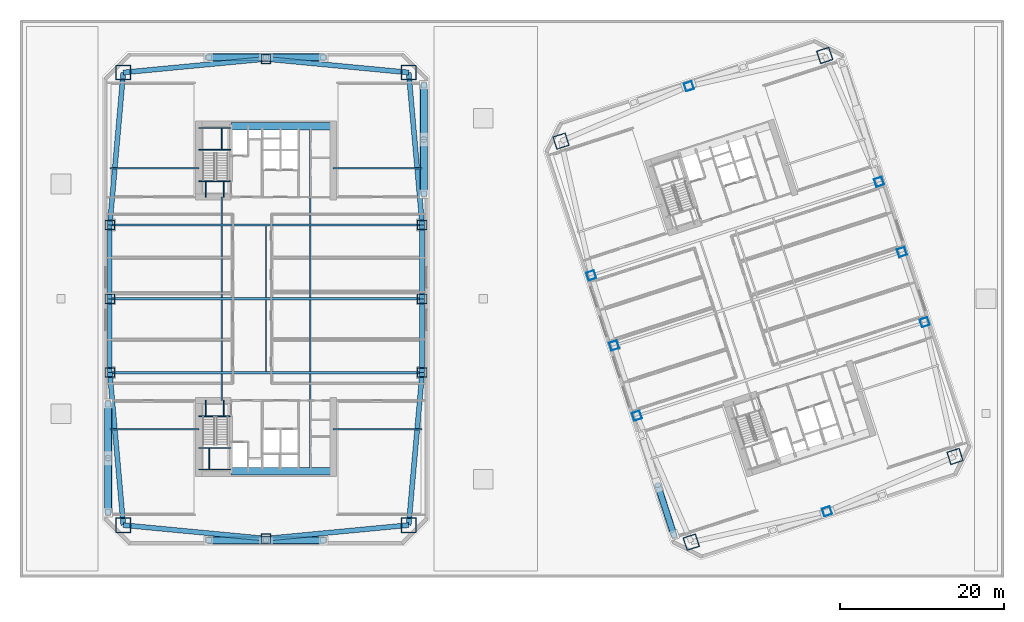
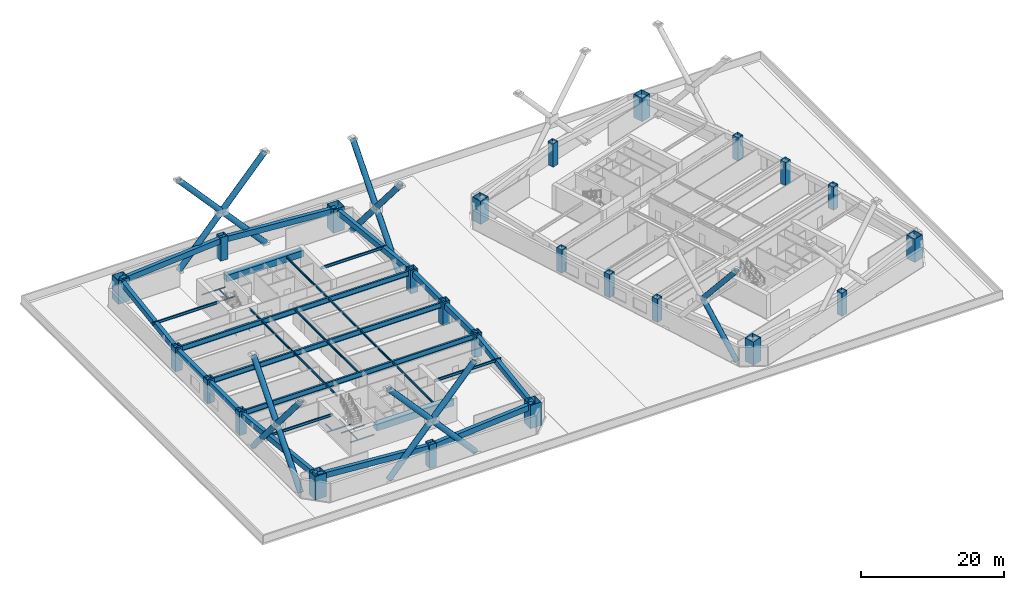
# One storey, part 1 of 20: 43 beams, 24 columns, 18 members.
"""IFC4 building model written with IfcOpenShell, lengths in metres."""

from ifc_helpers import new_model, si_unit, direction, frame, origin, origin_2d, place, context, subcontext, project, spatial, rectangle, hollow_rectangle, hollow_circle, i_section, extrude, material, material_profile, profile_set, type_object, element, save


model = new_model("IFC4")

# Units and contexts
model_context = context("Model", 3, precision=1e-05, world=origin(), true_north=direction((0.0, 1.0)))
body_context = subcontext(model_context, "Body", "Model", "MODEL_VIEW")
ifc_project = project(units=[si_unit("LENGTHUNIT", "METRE"), si_unit("AREAUNIT", "SQUARE_METRE"), si_unit("VOLUMEUNIT", "CUBIC_METRE"), si_unit("PLANEANGLEUNIT", "RADIAN"), si_unit("MASSUNIT", "GRAM", prefix="KILO")], contexts=[model_context])

# Site, building, storey
site_placement = place(None, origin())
site = spatial("IfcSite", under=ifc_project, at=site_placement, CompositionType="ELEMENT")
building_placement = place(site_placement, origin())
building = spatial("IfcBuilding", under=site, at=building_placement, Name="Qiaolan Cultural Towers", CompositionType="ELEMENT")
storey_placement = place(building_placement, frame((0.0, 0.0, 26.0)))
storey = spatial("IfcBuildingStorey", under=building, at=storey_placement, Name="L05", CompositionType="ELEMENT", Elevation=26.0)

# Columns
ifc_material_1 = material(Name="Steel Q355B", Category="steel")
ifc_material_profile_1 = material_profile(ifc_material_1, hollow_rectangle(XDim=1.0, YDim=1.0, WallThickness=0.035888671875, at=origin_2d()), Name="BOX1000x1000x36")
ifc_profile_set_1 = profile_set([ifc_material_profile_1], Name="Steel Q355B")
column_type_1 = type_object("IfcColumnType", Name="COL-BOX1000x1000x36", PredefinedType="COLUMN", material=ifc_profile_set_1)
for number, where, z_axis, x_axis, name in (
    (1, (75.234130859375, 19.739013671875, 0.0), (0.0, 0.0, 1.0), (0.951056516295, 0.309016994375, 0.0), "L05 T2 Perimeter Column PC-W1"),
    (2, (72.453125, 28.298583984375, 0.0), (0.0, 0.0, 1.0), (0.951056516295, 0.309016994375, 0.0), "L05 T2 Perimeter Column PC-W2"),
    (3, (69.671875, 36.858154296875, 0.0), (0.0, 0.0, 1.0), (0.951056516295, 0.309016994375, 0.0), "L05 T2 Perimeter Column PC-W3"),
    (4, (110.328125, 31.141845703125, 0.0), (0.0, 0.0, 1.0), (0.951056516295, 0.309016994375, 0.0), "L05 T2 Perimeter Column PC-E1"),
    (5, (107.546875, 39.701416015625, 0.0), (0.0, 0.0, 1.0), (0.951056516295, 0.309016994375, 0.0), "L05 T2 Perimeter Column PC-E2"),
    (6, (104.765869140625, 48.260986328125, 0.0), (0.0, 0.0, 1.0), (0.951056516295, 0.309016994375, 0.0), "L05 T2 Perimeter Column PC-E3"),
    (7, (98.420654296875, 8.083740234375, 0.0), (0.0, 0.0, 1.0), (0.951056516295, 0.309016994375, 0.0), "L05 T2 Perimeter Column PC-S0"),
    (8, (81.579345703125, 59.916259765625, 0.0), (0.0, 0.0, 1.0), (0.951056516295, 0.309016994375, 0.0), "L05 T2 Perimeter Column PC-N0"),
):
    element("IfcColumn", number, at=place(storey_placement, frame(where, z_axis=z_axis, x_axis=x_axis)), inside=storey, type_object=column_type_1, Name=name, PredefinedType="COLUMN", context=body_context, shape_type="SweptSolid", body=[
        extrude(hollow_rectangle(XDim=1.0, YDim=1.0, WallThickness=0.035888671875, at=origin_2d()), origin(), (0.0, 0.0, 1.0), 4.0009765625),
    ])
ifc_material_2 = material(Name="Steel Q390GJB", Category="steel")
ifc_material_profile_2 = material_profile(ifc_material_2, hollow_rectangle(XDim=1.14990234375, YDim=1.14990234375, WallThickness=0.0400390625, at=origin_2d()), Name="BOX1150x1150x40")
ifc_profile_set_2 = profile_set([ifc_material_profile_2], Name="Steel Q390GJB")
column_type_2 = type_object("IfcColumnType", Name="COL-BOX1150x1150x40", PredefinedType="COLUMN", material=ifc_profile_set_2)
for number, where, z_axis, x_axis, name in (
    (9, (10.949951171875, 25.0, 0.0), (0.0, 0.0, 1.0), (1.0, 0.0, 0.0), "L05 T1 Perimeter Column PC-W1"),
    (10, (10.949951171875, 34.0, 0.0), (0.0, 0.0, 1.0), (1.0, 0.0, 0.0), "L05 T1 Perimeter Column PC-W2"),
    (11, (10.949951171875, 43.0, 0.0), (0.0, 0.0, 1.0), (1.0, 0.0, 0.0), "L05 T1 Perimeter Column PC-W3"),
    (12, (49.050048828125, 25.0, 0.0), (0.0, 0.0, 1.0), (1.0, 0.0, 0.0), "L05 T1 Perimeter Column PC-E1"),
    (13, (49.050048828125, 34.0, 0.0), (0.0, 0.0, 1.0), (1.0, 0.0, 0.0), "L05 T1 Perimeter Column PC-E2"),
    (14, (49.050048828125, 43.0, 0.0), (0.0, 0.0, 1.0), (1.0, 0.0, 0.0), "L05 T1 Perimeter Column PC-E3"),
    (15, (30.0, 4.75, 0.0), (0.0, 0.0, 1.0), (1.0, 0.0, 0.0), "L05 T1 Perimeter Column PC-S0"),
    (16, (30.0, 63.25, 0.0), (0.0, 0.0, 1.0), (1.0, 0.0, 0.0), "L05 T1 Perimeter Column PC-N0"),
):
    element("IfcColumn", number, at=place(storey_placement, frame(where, z_axis=z_axis, x_axis=x_axis)), inside=storey, type_object=column_type_2, Name=name, PredefinedType="COLUMN", context=body_context, shape_type="SweptSolid", body=[
        extrude(hollow_rectangle(XDim=1.14990234375, YDim=1.14990234375, WallThickness=0.0400390625, at=origin_2d()), origin(), (0.0, 0.0, 1.0), 4.0009765625),
    ])
ifc_material_3 = material(Name="Steel Q420GJB", Category="steel")
ifc_material_profile_3 = material_profile(ifc_material_3, hollow_rectangle(XDim=1.60009765625, YDim=1.60009765625, WallThickness=0.054931640625, at=origin_2d()), Name="BOX1600x1600x55")
ifc_profile_set_3 = profile_set([ifc_material_profile_3], Name="Steel Q420GJB")
column_type_3 = type_object("IfcColumnType", Name="COL-BOX1600x1600x55", PredefinedType="COLUMN", material=ifc_profile_set_3)
for number, where, z_axis, x_axis, name in (
    (17, (81.862548828125, 4.32275390625, 0.0), (0.0, 0.0, 1.0), (0.951056516295, 0.309016994375, 0.0), "L05 T2 Perimeter Column MC-SW"),
    (18, (114.027099609375, 14.77392578125, 0.0), (0.0, 0.0, 1.0), (0.951056516295, 0.309016994375, 0.0), "L05 T2 Perimeter Column MC-SE"),
    (19, (98.137451171875, 63.67724609375, 0.0), (0.0, 0.0, 1.0), (0.951056516295, 0.309016994375, 0.0), "L05 T2 Perimeter Column MC-NE"),
    (20, (65.972900390625, 53.22607421875, 0.0), (0.0, 0.0, 1.0), (0.951056516295, 0.309016994375, 0.0), "L05 T2 Perimeter Column MC-NW"),
):
    element("IfcColumn", number, at=place(storey_placement, frame(where, z_axis=z_axis, x_axis=x_axis)), inside=storey, type_object=column_type_3, Name=name, PredefinedType="COLUMN", context=body_context, shape_type="SweptSolid", body=[
        extrude(hollow_rectangle(XDim=1.60009765625, YDim=1.60009765625, WallThickness=0.054931640625, at=origin_2d()), origin(), (0.0, 0.0, 1.0), 4.0009765625),
    ])
ifc_material_4 = material(Name="Steel Q420GJB", Category="steel")
ifc_material_profile_4 = material_profile(ifc_material_4, hollow_rectangle(XDim=1.800048828125, YDim=1.800048828125, WallThickness=0.06005859375, at=origin_2d()), Name="BOX1800x1800x60")
ifc_profile_set_4 = profile_set([ifc_material_profile_4], Name="Steel Q420GJB")
column_type_4 = type_object("IfcColumnType", Name="COL-BOX1800x1800x60", PredefinedType="COLUMN", material=ifc_profile_set_4)
for number, where, z_axis, x_axis, name in (
    (21, (12.60009765625, 6.39990234375, 0.0), (0.0, 0.0, 1.0), (1.0, 0.0, 0.0), "L05 T1 Perimeter Column MC-SW"),
    (22, (47.39990234375, 6.39990234375, 0.0), (0.0, 0.0, 1.0), (1.0, 0.0, 0.0), "L05 T1 Perimeter Column MC-SE"),
    (23, (47.39990234375, 61.60009765625, 0.0), (0.0, 0.0, 1.0), (1.0, 0.0, 0.0), "L05 T1 Perimeter Column MC-NE"),
    (24, (12.60009765625, 61.60009765625, 0.0), (0.0, 0.0, 1.0), (1.0, 0.0, 0.0), "L05 T1 Perimeter Column MC-NW"),
):
    element("IfcColumn", number, at=place(storey_placement, frame(where, z_axis=z_axis, x_axis=x_axis)), inside=storey, type_object=column_type_4, Name=name, PredefinedType="COLUMN", context=body_context, shape_type="SweptSolid", body=[
        extrude(hollow_rectangle(XDim=1.800048828125, YDim=1.800048828125, WallThickness=0.06005859375, at=origin_2d()), origin(), (0.0, 0.0, 1.0), 4.0009765625),
    ])

# Beams
ifc_material_5 = material(Name="Steel Q355B", Category="steel")
ifc_material_profile_5 = material_profile(ifc_material_5, i_section(OverallWidth=0.300048828125, OverallDepth=0.89990234375, WebThickness=0.01611328125, FlangeThickness=0.028076171875, at=origin_2d()), Name="HN900x300x16x28")
ifc_profile_set_5 = profile_set([ifc_material_profile_5], Name="Steel Q355B")
beam_type_1 = type_object("IfcBeamType", Name="BM-HN900x300x16x28", PredefinedType="BEAM", material=ifc_profile_set_5)
for number, where, z_axis, x_axis, name in (
    (25, (10.949951171875, 25.0, 3.2900390625), (1.0, 0.0, 0.0), (0.0, 1.0, 0.0), "L05 T1 Primary Transverse Girder V1"),
    (26, (10.949951171875, 34.0, 3.2900390625), (1.0, 0.0, 0.0), (0.0, 1.0, 0.0), "L05 T1 Primary Transverse Girder V2"),
    (27, (10.949951171875, 43.0, 3.2900390625), (1.0, 0.0, 0.0), (0.0, 1.0, 0.0), "L05 T1 Primary Transverse Girder V3"),
):
    element("IfcBeam", number, at=place(storey_placement, frame(where, z_axis=z_axis, x_axis=x_axis)), inside=storey, type_object=beam_type_1, Name=name, PredefinedType="BEAM", context=body_context, shape_type="SweptSolid", body=[
        extrude(i_section(OverallWidth=0.300048828125, OverallDepth=0.89990234375, WebThickness=0.01611328125, FlangeThickness=0.028076171875, at=origin_2d()), origin(), (0.0, 0.0, 1.0), 38.10009765625),
    ])
ifc_material_6 = material(Name="Steel Q355B", Category="steel")
ifc_material_profile_6 = material_profile(ifc_material_6, i_section(OverallWidth=0.175048828125, OverallDepth=0.35009765625, WebThickness=0.007080078125, FlangeThickness=0.010986328125, at=origin_2d()), Name="HN350x175x7x11")
ifc_profile_set_6 = profile_set([ifc_material_profile_6], Name="Steel Q355B")
beam_type_2 = type_object("IfcBeamType", Name="BM-JST-HN350x175x7x11", PredefinedType="JOIST", material=ifc_profile_set_6)
beam_1_placement = place(storey_placement, frame((24.60009765625, 21.60009765625, 3.56494140625), z_axis=(0.0, 1.0, 0.0), x_axis=(-1.0, 0.0, 0.0)))
element("IfcBeam", 28, at=beam_1_placement, inside=storey, type_object=beam_type_2, Name="L05 T1 Secondary Floor Joist U1-1", PredefinedType="JOIST", context=body_context, shape_type="SweptSolid", body=[
    extrude(i_section(OverallWidth=0.175048828125, OverallDepth=0.35009765625, WebThickness=0.007080078125, FlangeThickness=0.010986328125, at=origin_2d()), origin(), (0.0, 0.0, 1.0), 3.25),
])
for number, where, z_axis, x_axis, name in (
    (29, (24.60009765625, 25.14990234375, 3.56494140625), (0.0, 1.0, 0.0), (-1.0, 0.0, 0.0), "L05 T1 Secondary Floor Joist U1-2"),
    (30, (24.60009765625, 34.14990234375, 3.56494140625), (0.0, 1.0, 0.0), (-1.0, 0.0, 0.0), "L05 T1 Secondary Floor Joist U1-3"),
):
    element("IfcBeam", number, at=place(storey_placement, frame(where, z_axis=z_axis, x_axis=x_axis)), inside=storey, type_object=beam_type_2, Name=name, PredefinedType="JOIST", context=body_context, shape_type="SweptSolid", body=[
        extrude(i_section(OverallWidth=0.175048828125, OverallDepth=0.35009765625, WebThickness=0.007080078125, FlangeThickness=0.010986328125, at=origin_2d()), origin(), (0.0, 0.0, 1.0), 8.7001953125),
    ])
beam_2_placement = place(storey_placement, frame((24.60009765625, 43.14990234375, 3.56494140625), z_axis=(0.0, 1.0, 0.0), x_axis=(-1.0, 0.0, 0.0)))
element("IfcBeam", 31, at=beam_2_placement, inside=storey, type_object=beam_type_2, Name="L05 T1 Secondary Floor Joist U1-4", PredefinedType="JOIST", context=body_context, shape_type="SweptSolid", body=[
    extrude(i_section(OverallWidth=0.175048828125, OverallDepth=0.35009765625, WebThickness=0.007080078125, FlangeThickness=0.010986328125, at=origin_2d()), origin(), (0.0, 0.0, 1.0), 3.25),
])
for number, where, z_axis, x_axis, name in (
    (32, (30.0, 25.14990234375, 3.56494140625), (0.0, 1.0, 0.0), (-1.0, 0.0, 0.0), "L05 T1 Secondary Floor Joist U2-2"),
    (33, (30.0, 34.14990234375, 3.56494140625), (0.0, 1.0, 0.0), (-1.0, 0.0, 0.0), "L05 T1 Secondary Floor Joist U2-3"),
):
    element("IfcBeam", number, at=place(storey_placement, frame(where, z_axis=z_axis, x_axis=x_axis)), inside=storey, type_object=beam_type_2, Name=name, PredefinedType="JOIST", context=body_context, shape_type="SweptSolid", body=[
        extrude(i_section(OverallWidth=0.175048828125, OverallDepth=0.35009765625, WebThickness=0.007080078125, FlangeThickness=0.010986328125, at=origin_2d()), origin(), (0.0, 0.0, 1.0), 8.7001953125),
    ])
beam_3_placement = place(storey_placement, frame((35.39990234375, 13.39990234375, 3.56494140625), z_axis=(0.0, 1.0, 0.0), x_axis=(-1.0, 0.0, 0.0)))
element("IfcBeam", 34, at=beam_3_placement, inside=storey, type_object=beam_type_2, Name="L05 T1 Secondary Floor Joist U3-1", PredefinedType="JOIST", context=body_context, shape_type="SweptSolid", body=[
    extrude(i_section(OverallWidth=0.175048828125, OverallDepth=0.35009765625, WebThickness=0.007080078125, FlangeThickness=0.010986328125, at=origin_2d()), origin(), (0.0, 0.0, 1.0), 11.4501953125),
])
for number, where, z_axis, x_axis, name in (
    (35, (35.39990234375, 25.14990234375, 3.56494140625), (0.0, 1.0, 0.0), (-1.0, 0.0, 0.0), "L05 T1 Secondary Floor Joist U3-2"),
    (36, (35.39990234375, 34.14990234375, 3.56494140625), (0.0, 1.0, 0.0), (-1.0, 0.0, 0.0), "L05 T1 Secondary Floor Joist U3-3"),
):
    element("IfcBeam", number, at=place(storey_placement, frame(where, z_axis=z_axis, x_axis=x_axis)), inside=storey, type_object=beam_type_2, Name=name, PredefinedType="JOIST", context=body_context, shape_type="SweptSolid", body=[
        extrude(i_section(OverallWidth=0.175048828125, OverallDepth=0.35009765625, WebThickness=0.007080078125, FlangeThickness=0.010986328125, at=origin_2d()), origin(), (0.0, 0.0, 1.0), 8.7001953125),
    ])
beam_4_placement = place(storey_placement, frame((35.39990234375, 43.14990234375, 3.56494140625), z_axis=(0.0, 1.0, 0.0), x_axis=(-1.0, 0.0, 0.0)))
element("IfcBeam", 37, at=beam_4_placement, inside=storey, type_object=beam_type_2, Name="L05 T1 Secondary Floor Joist U3-4", PredefinedType="JOIST", context=body_context, shape_type="SweptSolid", body=[
    extrude(i_section(OverallWidth=0.175048828125, OverallDepth=0.35009765625, WebThickness=0.007080078125, FlangeThickness=0.010986328125, at=origin_2d()), origin(), (0.0, 0.0, 1.0), 11.4501953125),
])
ifc_material_7 = material(Name="Steel Q355B", Category="steel")
ifc_material_profile_7 = material_profile(ifc_material_7, i_section(OverallWidth=0.199951171875, OverallDepth=0.449951171875, WebThickness=0.009033203125, FlangeThickness=0.013916015625, at=origin_2d()), Name="HN450x200x9x14")
ifc_profile_set_7 = profile_set([ifc_material_profile_7], Name="Steel Q355B")
beam_type_3 = type_object("IfcBeamType", Name="BM-LNT-HN450x200x9x14", PredefinedType="LINTEL", material=ifc_profile_set_7)
for number, where, z_axis, x_axis, name in (
    (38, (21.800048828125, 18.10009765625, 3.514892578125), (-1.0, 0.0, 0.0), (0.0, -1.0, 0.0), "L05 T1 Core Flank Tie Lintel WS"),
    (39, (21.800048828125, 49.89990234375, 3.514892578125), (-1.0, 0.0, 0.0), (0.0, -1.0, 0.0), "L05 T1 Core Flank Tie Lintel WN"),
    (40, (38.199951171875, 18.10009765625, 3.514892578125), (1.0, 0.0, 0.0), (0.0, 1.0, 0.0), "L05 T1 Core Flank Tie Lintel ES"),
    (41, (38.199951171875, 49.89990234375, 3.514892578125), (1.0, 0.0, 0.0), (0.0, 1.0, 0.0), "L05 T1 Core Flank Tie Lintel EN"),
):
    element("IfcBeam", number, at=place(storey_placement, frame(where, z_axis=z_axis, x_axis=x_axis)), inside=storey, type_object=beam_type_3, Name=name, PredefinedType="LINTEL", context=body_context, shape_type="SweptSolid", body=[
        extrude(i_section(OverallWidth=0.199951171875, OverallDepth=0.449951171875, WebThickness=0.009033203125, FlangeThickness=0.013916015625, at=origin_2d()), origin(), (0.0, 0.0, 1.0), 10.85009765625),
    ])
ifc_material_8 = material(Name="Concrete C50", Category="concrete")
ifc_material_profile_8 = material_profile(ifc_material_8, rectangle(XDim=0.89990234375, YDim=1.10009765625, at=origin_2d()), Name="RC900x1100")
ifc_profile_set_8 = profile_set([ifc_material_profile_8], Name="Concrete C50")
beam_type_4 = type_object("IfcBeamType", Name="BM-RC900x1100", PredefinedType="BEAM", material=ifc_profile_set_8)
for number, where, z_axis, x_axis, name in (
    (42, (25.719970703125, 12.949951171875, 3.18994140625), (1.0, 0.0, 0.0), (0.0, 1.0, 0.0), "L05 T1 Core Header Girder S"),
    (43, (25.719970703125, 55.050048828125, 3.18994140625), (1.0, 0.0, 0.0), (0.0, 1.0, 0.0), "L05 T1 Core Header Girder N"),
):
    element("IfcBeam", number, at=place(storey_placement, frame(where, z_axis=z_axis, x_axis=x_axis)), inside=storey, type_object=beam_type_4, Name=name, PredefinedType="BEAM", context=body_context, shape_type="SweptSolid", body=[
        extrude(rectangle(XDim=0.89990234375, YDim=1.10009765625, at=origin_2d()), origin(), (0.0, 0.0, 1.0), 12.47998046875),
    ])
ifc_material_9 = material(Name="Concrete C50", Category="concrete")
ifc_material_profile_9 = material_profile(ifc_material_9, rectangle(XDim=0.60009765625, YDim=0.949951171875, at=origin_2d()), Name="RC600x950")
ifc_profile_set_9 = profile_set([ifc_material_profile_9], Name="Concrete C50")
beam_type_5 = type_object("IfcBeamType", Name="BM-SPD-RC600x950", PredefinedType="SPANDREL", material=ifc_profile_set_9)
for number, where, z_axis, x_axis, name in (
    (44, (12.60009765625, 6.39990234375, 3.264892578125), (0.995534437156, -0.094399070104, 0.0), (0.094399070104, 0.995534437156, 0.0), "L05 T1 Perimeter Spandrel Beam 1"),
    (45, (30.0, 4.75, 3.264892578125), (0.995534437156, 0.094399070104, 0.0), (-0.094399070104, 0.995534437156, 0.0), "L05 T1 Perimeter Spandrel Beam 2"),
):
    element("IfcBeam", number, at=place(storey_placement, frame(where, z_axis=z_axis, x_axis=x_axis)), inside=storey, type_object=beam_type_5, Name=name, PredefinedType="SPANDREL", context=body_context, shape_type="SweptSolid", body=[
        extrude(rectangle(XDim=0.60009765625, YDim=0.949951171875, at=origin_2d()), origin(), (0.0, 0.0, 1.0), 17.47802734375),
    ])
beam_5_placement = place(storey_placement, frame((47.39990234375, 6.39990234375, 3.264892578125), z_axis=(0.08837000091, 0.996087718496, 0.0), x_axis=(-0.996087718496, 0.08837000091, 0.0)))
element("IfcBeam", 46, at=beam_5_placement, inside=storey, type_object=beam_type_5, Name="L05 T1 Perimeter Spandrel Beam 3", PredefinedType="SPANDREL", context=body_context, shape_type="SweptSolid", body=[
    extrude(rectangle(XDim=0.60009765625, YDim=0.949951171875, at=origin_2d()), origin(), (0.0, 0.0, 1.0), 18.673095703125),
])
for number, where, z_axis, x_axis, name in (
    (47, (49.050048828125, 25.0, 3.264892578125), (0.0, 1.0, 0.0), (-1.0, 0.0, 0.0), "L05 T1 Perimeter Spandrel Beam 4"),
    (48, (49.050048828125, 34.0, 3.264892578125), (0.0, 1.0, 0.0), (-1.0, 0.0, 0.0), "L05 T1 Perimeter Spandrel Beam 5"),
):
    element("IfcBeam", number, at=place(storey_placement, frame(where, z_axis=z_axis, x_axis=x_axis)), inside=storey, type_object=beam_type_5, Name=name, PredefinedType="SPANDREL", context=body_context, shape_type="SweptSolid", body=[
        extrude(rectangle(XDim=0.60009765625, YDim=0.949951171875, at=origin_2d()), origin(), (0.0, 0.0, 1.0), 9.0),
    ])
beam_6_placement = place(storey_placement, frame((49.050048828125, 43.0, 3.264892578125), z_axis=(-0.08837000091, 0.996087718496, 0.0), x_axis=(-0.996087718496, -0.08837000091, 0.0)))
element("IfcBeam", 49, at=beam_6_placement, inside=storey, type_object=beam_type_5, Name="L05 T1 Perimeter Spandrel Beam 6", PredefinedType="SPANDREL", context=body_context, shape_type="SweptSolid", body=[
    extrude(rectangle(XDim=0.60009765625, YDim=0.949951171875, at=origin_2d()), origin(), (0.0, 0.0, 1.0), 18.673095703125),
])
for number, where, z_axis, x_axis, name in (
    (50, (47.39990234375, 61.60009765625, 3.264892578125), (-0.995534437156, 0.094399070104, 0.0), (-0.094399070104, -0.995534437156, 0.0), "L05 T1 Perimeter Spandrel Beam 7"),
    (51, (30.0, 63.25, 3.264892578125), (-0.995534437156, -0.094399070104, 0.0), (0.094399070104, -0.995534437156, 0.0), "L05 T1 Perimeter Spandrel Beam 8"),
):
    element("IfcBeam", number, at=place(storey_placement, frame(where, z_axis=z_axis, x_axis=x_axis)), inside=storey, type_object=beam_type_5, Name=name, PredefinedType="SPANDREL", context=body_context, shape_type="SweptSolid", body=[
        extrude(rectangle(XDim=0.60009765625, YDim=0.949951171875, at=origin_2d()), origin(), (0.0, 0.0, 1.0), 17.47802734375),
    ])
beam_7_placement = place(storey_placement, frame((12.60009765625, 61.60009765625, 3.264892578125), z_axis=(-0.08837000091, -0.996087718496, 0.0), x_axis=(0.996087718496, -0.08837000091, 0.0)))
element("IfcBeam", 52, at=beam_7_placement, inside=storey, type_object=beam_type_5, Name="L05 T1 Perimeter Spandrel Beam 9", PredefinedType="SPANDREL", context=body_context, shape_type="SweptSolid", body=[
    extrude(rectangle(XDim=0.60009765625, YDim=0.949951171875, at=origin_2d()), origin(), (0.0, 0.0, 1.0), 18.673095703125),
])
for number, where, z_axis, x_axis, name in (
    (53, (10.949951171875, 43.0, 3.264892578125), (0.0, -1.0, 0.0), (1.0, 0.0, 0.0), "L05 T1 Perimeter Spandrel Beam 10"),
    (54, (10.949951171875, 34.0, 3.264892578125), (0.0, -1.0, 0.0), (1.0, 0.0, 0.0), "L05 T1 Perimeter Spandrel Beam 11"),
):
    element("IfcBeam", number, at=place(storey_placement, frame(where, z_axis=z_axis, x_axis=x_axis)), inside=storey, type_object=beam_type_5, Name=name, PredefinedType="SPANDREL", context=body_context, shape_type="SweptSolid", body=[
        extrude(rectangle(XDim=0.60009765625, YDim=0.949951171875, at=origin_2d()), origin(), (0.0, 0.0, 1.0), 9.0),
    ])
beam_8_placement = place(storey_placement, frame((10.949951171875, 25.0, 3.264892578125), z_axis=(0.08837000091, -0.996087718496, 0.0), x_axis=(0.996087718496, 0.08837000091, 0.0)))
element("IfcBeam", 55, at=beam_8_placement, inside=storey, type_object=beam_type_5, Name="L05 T1 Perimeter Spandrel Beam 12", PredefinedType="SPANDREL", context=body_context, shape_type="SweptSolid", body=[
    extrude(rectangle(XDim=0.60009765625, YDim=0.949951171875, at=origin_2d()), origin(), (0.0, 0.0, 1.0), 18.673095703125),
])
ifc_material_10 = material(Name="Steel Q355B", Category="steel")
ifc_material_profile_10 = material_profile(ifc_material_10, i_section(OverallWidth=0.10009765625, OverallDepth=0.199951171875, WebThickness=0.005615234375, FlangeThickness=0.008056640625, at=origin_2d()), Name="HN200x100x5.5x8")
ifc_profile_set_10 = profile_set([ifc_material_profile_10], Name="Steel Q355B")
beam_type_6 = type_object("IfcBeamType", Name="BM-STTRIM-200", PredefinedType="BEAM", material=ifc_profile_set_10)
beam_9_placement = place(storey_placement, frame((21.800048828125, 19.659912109375, -0.4599609375), z_axis=(1.0, 0.0, 0.0), x_axis=(0.0, 1.0, 0.0)))
element("IfcBeam", 56, at=beam_9_placement, inside=storey, type_object=beam_type_6, Name="L05 ST-W1 Floor Landing Header Beam", PredefinedType="BEAM", context=body_context, shape_type="SweptSolid", body=[
    extrude(i_section(OverallWidth=0.10009765625, OverallDepth=0.199951171875, WebThickness=0.005615234375, FlangeThickness=0.008056640625, at=origin_2d()), origin(), (0.0, 0.0, 1.0), 3.919921875),
])
for number, where, z_axis, x_axis, name in (
    (57, (22.64990234375, 21.60009765625, -0.4599609375), (0.0, -1.0, 0.0), (1.0, 0.0, 0.0), "L05 ST-W1 Floor Landing Stringer 1"),
    (58, (24.85009765625, 21.60009765625, -0.4599609375), (0.0, -1.0, 0.0), (1.0, 0.0, 0.0), "L05 ST-W1 Floor Landing Stringer 2"),
):
    element("IfcBeam", number, at=place(storey_placement, frame(where, z_axis=z_axis, x_axis=x_axis)), inside=storey, type_object=beam_type_6, Name=name, PredefinedType="BEAM", context=body_context, shape_type="SweptSolid", body=[
        extrude(i_section(OverallWidth=0.10009765625, OverallDepth=0.199951171875, WebThickness=0.005615234375, FlangeThickness=0.008056640625, at=origin_2d()), origin(), (0.0, 0.0, 1.0), 1.940185546875),
    ])
for number, where, z_axis, x_axis, name in (
    (59, (21.800048828125, 15.811279296875, 1.699951171875), (1.0, 0.0, 0.0), (0.0, 1.0, 0.0), "L05 ST-W1 Stair Landing Support Beam 1-1"),
    (60, (21.800048828125, 13.179931640625, 1.699951171875), (1.0, 0.0, 0.0), (0.0, 1.0, 0.0), "L05 ST-W1 Stair Landing Support Beam 1-2"),
):
    element("IfcBeam", number, at=place(storey_placement, frame(where, z_axis=z_axis, x_axis=x_axis)), inside=storey, type_object=beam_type_6, Name=name, PredefinedType="BEAM", context=body_context, shape_type="SweptSolid", body=[
        extrude(i_section(OverallWidth=0.10009765625, OverallDepth=0.199951171875, WebThickness=0.005615234375, FlangeThickness=0.008056640625, at=origin_2d()), origin(), (0.0, 0.0, 1.0), 3.919921875),
    ])
beam_10_placement = place(storey_placement, frame((23.070068359375, 15.811279296875, 1.699951171875), z_axis=(0.0, -1.0, 0.0), x_axis=(1.0, 0.0, 0.0)))
element("IfcBeam", 61, at=beam_10_placement, inside=storey, type_object=beam_type_6, Name="L05 ST-W1 Stair Landing Trimmer 1", PredefinedType="BEAM", context=body_context, shape_type="SweptSolid", body=[
    extrude(i_section(OverallWidth=0.10009765625, OverallDepth=0.199951171875, WebThickness=0.005615234375, FlangeThickness=0.008056640625, at=origin_2d()), origin(), (0.0, 0.0, 1.0), 2.63134765625),
])
beam_11_placement = place(storey_placement, frame((21.800048828125, 48.340087890625, -0.4599609375), z_axis=(1.0, 0.0, 0.0), x_axis=(0.0, 1.0, 0.0)))
element("IfcBeam", 62, at=beam_11_placement, inside=storey, type_object=beam_type_6, Name="L05 ST-W2 Floor Landing Header Beam", PredefinedType="BEAM", context=body_context, shape_type="SweptSolid", body=[
    extrude(i_section(OverallWidth=0.10009765625, OverallDepth=0.199951171875, WebThickness=0.005615234375, FlangeThickness=0.008056640625, at=origin_2d()), origin(), (0.0, 0.0, 1.0), 3.919921875),
])
for number, where, z_axis, x_axis, name in (
    (63, (22.64990234375, 46.39990234375, -0.4599609375), (0.0, 1.0, 0.0), (-1.0, 0.0, 0.0), "L05 ST-W2 Floor Landing Stringer 1"),
    (64, (24.85009765625, 46.39990234375, -0.4599609375), (0.0, 1.0, 0.0), (-1.0, 0.0, 0.0), "L05 ST-W2 Floor Landing Stringer 2"),
):
    element("IfcBeam", number, at=place(storey_placement, frame(where, z_axis=z_axis, x_axis=x_axis)), inside=storey, type_object=beam_type_6, Name=name, PredefinedType="BEAM", context=body_context, shape_type="SweptSolid", body=[
        extrude(i_section(OverallWidth=0.10009765625, OverallDepth=0.199951171875, WebThickness=0.005615234375, FlangeThickness=0.008056640625, at=origin_2d()), origin(), (0.0, 0.0, 1.0), 1.940185546875),
    ])
for number, where, z_axis, x_axis, name in (
    (65, (21.800048828125, 52.188720703125, 1.699951171875), (1.0, 0.0, 0.0), (0.0, 1.0, 0.0), "L05 ST-W2 Stair Landing Support Beam 1-1"),
    (66, (21.800048828125, 54.820068359375, 1.699951171875), (1.0, 0.0, 0.0), (0.0, 1.0, 0.0), "L05 ST-W2 Stair Landing Support Beam 1-2"),
):
    element("IfcBeam", number, at=place(storey_placement, frame(where, z_axis=z_axis, x_axis=x_axis)), inside=storey, type_object=beam_type_6, Name=name, PredefinedType="BEAM", context=body_context, shape_type="SweptSolid", body=[
        extrude(i_section(OverallWidth=0.10009765625, OverallDepth=0.199951171875, WebThickness=0.005615234375, FlangeThickness=0.008056640625, at=origin_2d()), origin(), (0.0, 0.0, 1.0), 3.919921875),
    ])
beam_12_placement = place(storey_placement, frame((24.610107421875, 52.188720703125, 1.699951171875), z_axis=(0.0, 1.0, 0.0), x_axis=(-1.0, 0.0, 0.0)))
element("IfcBeam", 67, at=beam_12_placement, inside=storey, type_object=beam_type_6, Name="L05 ST-W2 Stair Landing Trimmer 1", PredefinedType="BEAM", context=body_context, shape_type="SweptSolid", body=[
    extrude(i_section(OverallWidth=0.10009765625, OverallDepth=0.199951171875, WebThickness=0.005615234375, FlangeThickness=0.008056640625, at=origin_2d()), origin(), (0.0, 0.0, 1.0), 2.63134765625),
])

# Members
ifc_material_11 = material(Name="Steel Q390GJB", Category="steel")
ifc_material_profile_11 = material_profile(ifc_material_11, hollow_circle(Radius=0.39990234375, WallThickness=0.0400390625, at=origin_2d()), Name="CHS800x40")
ifc_profile_set_11 = profile_set([ifc_material_profile_11], Name="Steel Q390GJB")
member_type_1 = type_object("IfcMemberType", Name="MBR-BRC-CHS800x40", PredefinedType="BRACE", material=ifc_profile_set_11)
member_1_placement = place(storey_placement, frame((79.75634765625, 5.173828125, 0.14990234375), z_axis=(-0.196838903085, 0.60581456793, 0.770871685507), x_axis=(-0.951057523153, -0.309013895568, 0.0)))
element("IfcMember", 68, at=member_1_placement, inside=storey, type_object=member_type_1, Name="T2 WEST Perimeter Frame Diagonal E-Z1-M1-D1A", PredefinedType="BRACE", context=body_context, shape_type="SweptSolid", body=[
    extrude(hollow_circle(Radius=0.39990234375, WallThickness=0.0400390625, at=origin_2d()), origin(), (0.0, 0.0, 1.0), 10.086181640625),
])
member_2_placement = place(storey_placement, frame((77.77099609375, 11.2841796875, 7.925048828125), z_axis=(0.196842576009, -0.605825872153, 0.770861863696), x_axis=(0.951057523153, 0.309013895568, 0.0)))
element("IfcMember", 69, at=member_2_placement, inside=storey, type_object=member_type_1, Name="T2 WEST Perimeter Frame Diagonal E-Z1-M1-D2B", PredefinedType="BRACE", context=body_context, shape_type="SweptSolid", body=[
    extrude(hollow_circle(Radius=0.39990234375, WallThickness=0.0400390625, at=origin_2d()), origin(), (0.0, 0.0, 1.0), 10.0859375),
])
ifc_material_12 = material(Name="Steel Q390GJB", Category="steel")
ifc_material_profile_12 = material_profile(ifc_material_12, hollow_circle(Radius=0.449951171875, WallThickness=0.044921875, at=origin_2d()), Name="CHS900x45")
ifc_profile_set_12 = profile_set([ifc_material_profile_12], Name="Steel Q390GJB")
member_type_2 = type_object("IfcMemberType", Name="MBR-BRC-CHS900x45", PredefinedType="BRACE", material=ifc_profile_set_12)
member_3_placement = place(storey_placement, frame((10.75, 7.949951171875, 0.14990234375), z_axis=(0.0, 0.648564427149, 0.761159762361), x_axis=(-1.0, 0.0, 0.0)))
element("IfcMember", 70, at=member_3_placement, inside=storey, type_object=member_type_2, Name="T1 WEST Perimeter Frame Diagonal W-Z1-M1-D1A", PredefinedType="BRACE", context=body_context, shape_type="SweptSolid", body=[
    extrude(hollow_circle(Radius=0.449951171875, WallThickness=0.044921875, at=origin_2d()), origin(), (0.0, 0.0, 1.0), 10.21484375),
])
member_4_placement = place(storey_placement, frame((10.75, 14.574951171875, 7.925048828125), z_axis=(0.0, 0.648576226042, 0.761149708673), x_axis=(-1.0, 0.0, 0.0)))
element("IfcMember", 71, at=member_4_placement, inside=storey, type_object=member_type_2, Name="T1 WEST Perimeter Frame Diagonal W-Z1-M1-D1B", PredefinedType="BRACE", context=body_context, shape_type="SweptSolid", body=[
    extrude(hollow_circle(Radius=0.449951171875, WallThickness=0.044921875, at=origin_2d()), origin(), (0.0, 0.0, 1.0), 10.214599609375),
])
member_5_placement = place(storey_placement, frame((10.75, 21.199951171875, 0.14990234375), z_axis=(0.0, -0.648564427149, 0.761159762361), x_axis=(1.0, 0.0, 0.0)))
element("IfcMember", 72, at=member_5_placement, inside=storey, type_object=member_type_2, Name="T1 WEST Perimeter Frame Diagonal W-Z1-M1-D2A", PredefinedType="BRACE", context=body_context, shape_type="SweptSolid", body=[
    extrude(hollow_circle(Radius=0.449951171875, WallThickness=0.044921875, at=origin_2d()), origin(), (0.0, 0.0, 1.0), 10.21484375),
])
member_6_placement = place(storey_placement, frame((10.75, 14.574951171875, 7.925048828125), z_axis=(0.0, -0.648576226042, 0.761149708673), x_axis=(1.0, 0.0, 0.0)))
element("IfcMember", 73, at=member_6_placement, inside=storey, type_object=member_type_2, Name="T1 WEST Perimeter Frame Diagonal W-Z1-M1-D2B", PredefinedType="BRACE", context=body_context, shape_type="SweptSolid", body=[
    extrude(hollow_circle(Radius=0.449951171875, WallThickness=0.044921875, at=origin_2d()), origin(), (0.0, 0.0, 1.0), 10.214599609375),
])
member_7_placement = place(storey_placement, frame((49.25, 46.800048828125, 0.14990234375), z_axis=(0.0, 0.648564427149, 0.761159762361), x_axis=(-1.0, 0.0, 0.0)))
element("IfcMember", 74, at=member_7_placement, inside=storey, type_object=member_type_2, Name="T1 EAST Perimeter Frame Diagonal W-Z1-M1-D1A", PredefinedType="BRACE", context=body_context, shape_type="SweptSolid", body=[
    extrude(hollow_circle(Radius=0.449951171875, WallThickness=0.044921875, at=origin_2d()), origin(), (0.0, 0.0, 1.0), 10.21484375),
])
member_8_placement = place(storey_placement, frame((49.25, 53.425048828125, 7.925048828125), z_axis=(0.0, 0.648576226042, 0.761149708673), x_axis=(-1.0, 0.0, 0.0)))
element("IfcMember", 75, at=member_8_placement, inside=storey, type_object=member_type_2, Name="T1 EAST Perimeter Frame Diagonal W-Z1-M1-D1B", PredefinedType="BRACE", context=body_context, shape_type="SweptSolid", body=[
    extrude(hollow_circle(Radius=0.449951171875, WallThickness=0.044921875, at=origin_2d()), origin(), (0.0, 0.0, 1.0), 10.214599609375),
])
member_9_placement = place(storey_placement, frame((49.25, 60.050048828125, 0.14990234375), z_axis=(0.0, -0.648564427149, 0.761159762361), x_axis=(1.0, 0.0, 0.0)))
element("IfcMember", 76, at=member_9_placement, inside=storey, type_object=member_type_2, Name="T1 EAST Perimeter Frame Diagonal W-Z1-M1-D2A", PredefinedType="BRACE", context=body_context, shape_type="SweptSolid", body=[
    extrude(hollow_circle(Radius=0.449951171875, WallThickness=0.044921875, at=origin_2d()), origin(), (0.0, 0.0, 1.0), 10.21484375),
])
member_10_placement = place(storey_placement, frame((49.25, 53.425048828125, 7.925048828125), z_axis=(0.0, -0.648576226042, 0.761149708673), x_axis=(1.0, 0.0, 0.0)))
element("IfcMember", 77, at=member_10_placement, inside=storey, type_object=member_type_2, Name="T1 EAST Perimeter Frame Diagonal W-Z1-M1-D2B", PredefinedType="BRACE", context=body_context, shape_type="SweptSolid", body=[
    extrude(hollow_circle(Radius=0.449951171875, WallThickness=0.044921875, at=origin_2d()), origin(), (0.0, 0.0, 1.0), 10.214599609375),
])
for number, where, z_axis, x_axis, name in (
    (78, (23.0, 4.550048828125, 0.14990234375), (0.669089782483, 0.0, 0.74318158143), (0.0, 1.0, 0.0), "T1 SOUTH Perimeter Frame Diagonal W-Z1-M1-D1A"),
    (79, (30.0, 4.550048828125, 7.925048828125), (0.66910138655, 0.0, 0.743171134071), (0.0, 1.0, 0.0), "T1 SOUTH Perimeter Frame Diagonal W-Z1-M1-D1B"),
    (80, (37.0, 4.550048828125, 0.14990234375), (-0.669089782483, 0.0, 0.74318158143), (0.0, -1.0, 0.0), "T1 SOUTH Perimeter Frame Diagonal W-Z1-M1-D2A"),
    (81, (30.0, 4.550048828125, 7.925048828125), (-0.66910138655, 0.0, 0.743171134071), (0.0, -1.0, 0.0), "T1 SOUTH Perimeter Frame Diagonal W-Z1-M1-D2B"),
    (82, (23.0, 63.449951171875, 0.14990234375), (0.669089782483, 0.0, 0.74318158143), (0.0, 1.0, 0.0), "T1 NORTH Perimeter Frame Diagonal W-Z1-M1-D1A"),
    (83, (30.0, 63.449951171875, 7.925048828125), (0.66910138655, 0.0, 0.743171134071), (0.0, 1.0, 0.0), "T1 NORTH Perimeter Frame Diagonal W-Z1-M1-D1B"),
    (84, (37.0, 63.449951171875, 0.14990234375), (-0.669089782483, 0.0, 0.74318158143), (0.0, -1.0, 0.0), "T1 NORTH Perimeter Frame Diagonal W-Z1-M1-D2A"),
    (85, (30.0, 63.449951171875, 7.925048828125), (-0.66910138655, 0.0, 0.743171134071), (0.0, -1.0, 0.0), "T1 NORTH Perimeter Frame Diagonal W-Z1-M1-D2B"),
):
    element("IfcMember", number, at=place(storey_placement, frame(where, z_axis=z_axis, x_axis=x_axis)), inside=storey, type_object=member_type_2, Name=name, PredefinedType="BRACE", context=body_context, shape_type="SweptSolid", body=[
        extrude(hollow_circle(Radius=0.449951171875, WallThickness=0.044921875, at=origin_2d()), origin(), (0.0, 0.0, 1.0), 10.4619140625),
    ])

save(model, "model.ifc")
